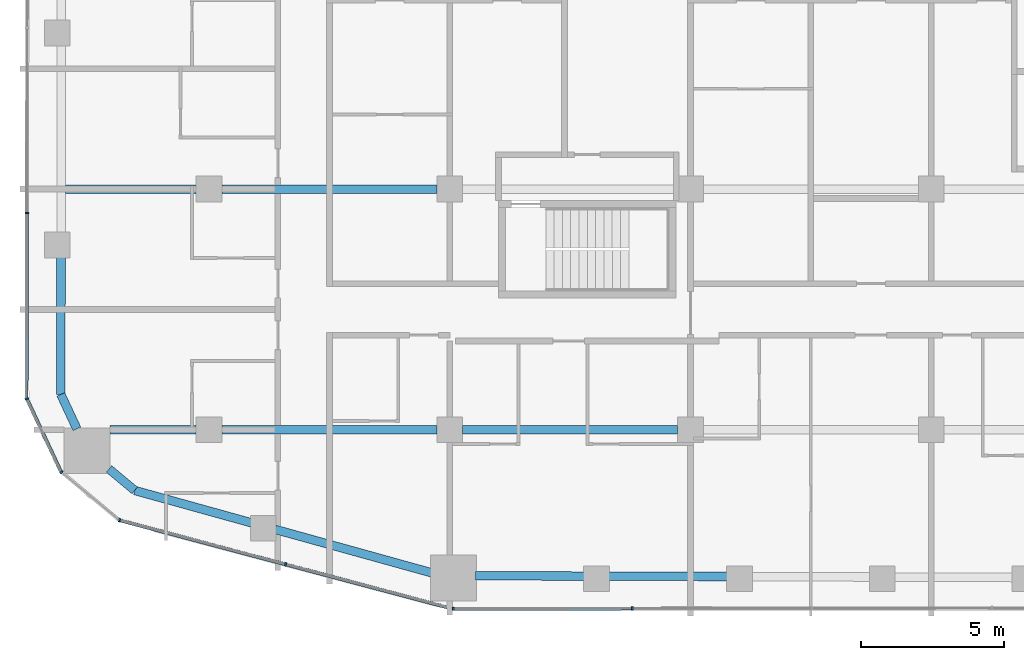
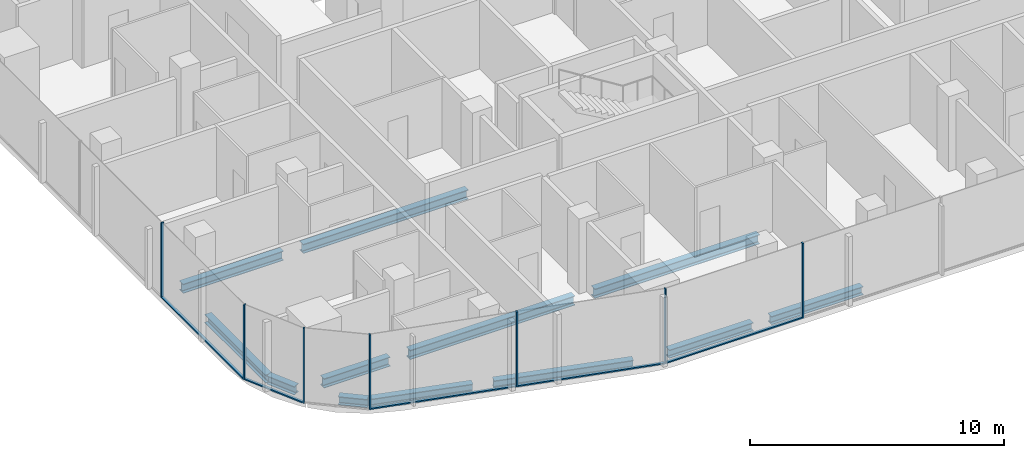
# One storey, part 2 of 23: 12 beams, 12 members, 5 elements without a shape of their own.
"""IFC4 building model written with IfcOpenShell, lengths in metres."""

from ifc_helpers import new_model, si_unit, direction, frame, origin, origin_2d, place, context, subcontext, project, spatial, rectangle, i_section, extrude, material, layer, layer_set, material_profile, profile_set, type_object, element, aggregate, save


model = new_model("IFC4")

# Units and contexts
model_context = context("Model", 3, precision=1e-05, world=origin(), true_north=direction((0.0, 1.0)))
body_context = subcontext(model_context, "Body", "Model", "MODEL_VIEW")
ifc_project = project(units=[si_unit("LENGTHUNIT", "METRE"), si_unit("AREAUNIT", "SQUARE_METRE"), si_unit("VOLUMEUNIT", "CUBIC_METRE"), si_unit("PLANEANGLEUNIT", "RADIAN"), si_unit("MASSUNIT", "GRAM", prefix="KILO")], contexts=[model_context])

# Site, building, storey
site_placement = place(None, origin())
site = spatial("IfcSite", under=ifc_project, at=site_placement, CompositionType="ELEMENT")
building_placement = place(site_placement, origin())
building = spatial("IfcBuilding", under=site, at=building_placement, Name="Marenta Gate Hotel Tower", CompositionType="ELEMENT")
storey_placement = place(building_placement, frame((0.0, 0.0, 155.300048828125)))
storey = spatial("IfcBuildingStorey", under=building, at=storey_placement, Name="L36", CompositionType="ELEMENT", Elevation=155.300048828125)

# Beams
ifc_material_1 = material(Name="Steel S355", Category="steel")
ifc_material_profile_1 = material_profile(ifc_material_1, i_section(OverallWidth=0.300048828125, OverallDepth=0.39990234375, WebThickness=0.013427734375, FlangeThickness=0.02392578125, FilletRadius=0.027099609375, at=origin_2d()), Name="HEB 400")
ifc_profile_set_1 = profile_set([ifc_material_profile_1], Name="Steel S355")
beam_type_1 = type_object("IfcBeamType", Name="Edge beam HEB 400", PredefinedType="SPANDREL", material=ifc_profile_set_1)
beam_1_placement = place(storey_placement, frame((-13.227783203125, -21.794677734375, -0.4599609375), z_axis=(-0.963615860477, 0.267290990189, 0.0), x_axis=(-0.267290990189, -0.963615860477, 0.0)))
element("IfcBeam", 1, at=beam_1_placement, inside=storey, type_object=beam_type_1, Name="L36-EB-1", PredefinedType="SPANDREL", context=body_context, shape_type="SweptSolid", body=[
    extrude(i_section(OverallWidth=0.300048828125, OverallDepth=0.39990234375, WebThickness=0.013427734375, FlangeThickness=0.02392578125, FilletRadius=0.027099609375, at=origin_2d()), origin(), (0.0, 0.0, 1.0), 5.674072265625),
])
beam_2_placement = place(storey_placement, frame((-19.518310546875, -20.0498046875, -0.4599609375), z_axis=(-0.963630213062, 0.267239242016, 0.0), x_axis=(-0.267239242016, -0.963630213062, 0.0)))
element("IfcBeam", 2, at=beam_2_placement, inside=storey, type_object=beam_type_1, Name="L36-EB-2", PredefinedType="SPANDREL", context=body_context, shape_type="SweptSolid", body=[
    extrude(i_section(OverallWidth=0.300048828125, OverallDepth=0.39990234375, WebThickness=0.013427734375, FlangeThickness=0.02392578125, FilletRadius=0.027099609375, at=origin_2d()), origin(), (0.0, 0.0, 1.0), 4.232666015625),
])
beam_3_placement = place(storey_placement, frame((-23.596923828125, -18.918701171875, -0.4599609375), z_axis=(-0.767073132856, 0.641559668972, 0.0), x_axis=(-0.641559668972, -0.767073132856, 0.0)))
element("IfcBeam", 3, at=beam_3_placement, inside=storey, type_object=beam_type_1, Name="L36-EB-3", PredefinedType="SPANDREL", context=body_context, shape_type="SweptSolid", body=[
    extrude(i_section(OverallWidth=0.300048828125, OverallDepth=0.39990234375, WebThickness=0.013427734375, FlangeThickness=0.02392578125, FilletRadius=0.027099609375, at=origin_2d()), origin(), (0.0, 0.0, 1.0), 1.1689453125),
])
beam_4_placement = place(storey_placement, frame((-25.613525390625, -16.769287109375, -0.4599609375), z_axis=(-0.423207780269, 0.906032656541, 0.0), x_axis=(-0.906032656541, -0.423207780269, 0.0)))
element("IfcBeam", 4, at=beam_4_placement, inside=storey, type_object=beam_type_1, Name="L36-EB-4", PredefinedType="SPANDREL", context=body_context, shape_type="SweptSolid", body=[
    extrude(i_section(OverallWidth=0.300048828125, OverallDepth=0.39990234375, WebThickness=0.013427734375, FlangeThickness=0.02392578125, FilletRadius=0.027099609375, at=origin_2d()), origin(), (0.0, 0.0, 1.0), 1.326904296875),
])
beam_5_placement = place(storey_placement, frame((-26.175048828125, -15.567138671875, -0.4599609375), z_axis=(0.001371810517, 0.999999059068, 0.0), x_axis=(-0.999999059068, 0.001371810517, 0.0)))
element("IfcBeam", 5, at=beam_5_placement, inside=storey, type_object=beam_type_1, Name="L36-EB-5", PredefinedType="SPANDREL", context=body_context, shape_type="SweptSolid", body=[
    extrude(i_section(OverallWidth=0.300048828125, OverallDepth=0.39990234375, WebThickness=0.013427734375, FlangeThickness=0.02392578125, FilletRadius=0.027099609375, at=origin_2d()), origin(), (0.0, 0.0, 1.0), 4.80517578125),
])
beam_6_placement = place(storey_placement, frame((-2.9033203125, -21.92333984375, -0.4599609375), z_axis=(-0.999994807487, 0.003222576575, 0.0), x_axis=(-0.003222576575, -0.999994807487, 0.0)))
element("IfcBeam", 6, at=beam_6_placement, inside=storey, type_object=beam_type_1, Name="L36-EB-35", PredefinedType="SPANDREL", context=body_context, shape_type="SweptSolid", body=[
    extrude(i_section(OverallWidth=0.300048828125, OverallDepth=0.39990234375, WebThickness=0.013427734375, FlangeThickness=0.02392578125, FilletRadius=0.027099609375, at=origin_2d()), origin(), (0.0, 0.0, 1.0), 4.166748046875),
])
beam_7_placement = place(storey_placement, frame((-7.89013671875, -21.907470703125, -0.4599609375), z_axis=(-0.999994677283, 0.003262729738, 0.0), x_axis=(-0.003262729738, -0.999994677283, 0.0)))
element("IfcBeam", 7, at=beam_7_placement, inside=storey, type_object=beam_type_1, Name="L36-EB-36", PredefinedType="SPANDREL", context=body_context, shape_type="SweptSolid", body=[
    extrude(i_section(OverallWidth=0.300048828125, OverallDepth=0.39990234375, WebThickness=0.013427734375, FlangeThickness=0.02392578125, FilletRadius=0.027099609375, at=origin_2d()), origin(), (0.0, 0.0, 1.0), 3.816162109375),
])
ifc_material_2 = material(Name="Steel S355", Category="steel")
ifc_material_profile_2 = material_profile(ifc_material_2, i_section(OverallWidth=0.300048828125, OverallDepth=0.449951171875, WebThickness=0.013916015625, FlangeThickness=0.02587890625, FilletRadius=0.027099609375, at=origin_2d()), Name="HEB 450")
ifc_profile_set_2 = profile_set([ifc_material_profile_2], Name="Steel S355")
beam_type_2 = type_object("IfcBeamType", Name="Girder HEB 450", PredefinedType="BEAM", material=ifc_profile_set_2)
beam_8_placement = place(storey_placement, frame((-24.462890625, -16.800048828125, -0.485107421875), z_axis=(1.0, 0.0, 0.0), x_axis=(0.0, 1.0, 0.0)))
element("IfcBeam", 8, at=beam_8_placement, inside=storey, type_object=beam_type_2, Name="L36-GD-1", PredefinedType="BEAM", context=body_context, shape_type="SweptSolid", body=[
    extrude(i_section(OverallWidth=0.300048828125, OverallDepth=0.449951171875, WebThickness=0.013916015625, FlangeThickness=0.02587890625, FilletRadius=0.027099609375, at=origin_2d()), origin(), (0.0, 0.0, 1.0), 3.012939453125),
])
for number, where, z_axis, x_axis, name in (
    (9, (-20.550048828125, -16.800048828125, -0.485107421875), (1.0, 0.0, 0.0), (0.0, 1.0, 0.0), "L36-GD-2"),
    (10, (-12.14990234375, -16.800048828125, -0.485107421875), (1.0, 0.0, 0.0), (0.0, 1.0, 0.0), "L36-GD-3"),
):
    element("IfcBeam", number, at=place(storey_placement, frame(where, z_axis=z_axis, x_axis=x_axis)), inside=storey, type_object=beam_type_2, Name=name, PredefinedType="BEAM", context=body_context, shape_type="SweptSolid", body=[
        extrude(i_section(OverallWidth=0.300048828125, OverallDepth=0.449951171875, WebThickness=0.013916015625, FlangeThickness=0.02587890625, FilletRadius=0.027099609375, at=origin_2d()), origin(), (0.0, 0.0, 1.0), 7.5),
    ])
beam_9_placement = place(storey_placement, frame((-26.01513671875, -8.39990234375, -0.485107421875), z_axis=(1.0, 0.0, 0.0), x_axis=(0.0, 1.0, 0.0)))
element("IfcBeam", 11, at=beam_9_placement, inside=storey, type_object=beam_type_2, Name="L36-GD-8", PredefinedType="BEAM", context=body_context, shape_type="SweptSolid", body=[
    extrude(i_section(OverallWidth=0.300048828125, OverallDepth=0.449951171875, WebThickness=0.013916015625, FlangeThickness=0.02587890625, FilletRadius=0.027099609375, at=origin_2d()), origin(), (0.0, 0.0, 1.0), 4.565185546875),
])
beam_10_placement = place(storey_placement, frame((-20.550048828125, -8.39990234375, -0.485107421875), z_axis=(1.0, 0.0, 0.0), x_axis=(0.0, 1.0, 0.0)))
element("IfcBeam", 12, at=beam_10_placement, inside=storey, type_object=beam_type_2, Name="L36-GD-9", PredefinedType="BEAM", context=body_context, shape_type="SweptSolid", body=[
    extrude(i_section(OverallWidth=0.300048828125, OverallDepth=0.449951171875, WebThickness=0.013916015625, FlangeThickness=0.02587890625, FilletRadius=0.027099609375, at=origin_2d()), origin(), (0.0, 0.0, 1.0), 7.5),
])

# Curtain wall, member
ifc_material_3 = material(Name="Tinted insulated glass in bronze anodised frame", Category="glass")
ifc_layer = layer(ifc_material_3, 0.1201171875)
ifc_layer_set = layer_set([ifc_layer], Name="Tinted insulated glass in bronze anodised frame")
curtain_wall_type = type_object("IfcCurtainWallType", Name="Tower unitised curtain wall CW1", PredefinedType="NOTDEFINED", material=ifc_layer_set)
curtain_wall_1_placement = place(storey_placement, origin())
curtain_wall_1 = element("IfcCurtainWall", 13, at=curtain_wall_1_placement, inside=storey, type_object=curtain_wall_type, Name="CW1 run G03", PredefinedType="NOTDEFINED")
ifc_material_4 = material(Name="Bronze anodised aluminium", Category="aluminium")
ifc_material_profile_3 = material_profile(ifc_material_4, rectangle(XDim=0.1201171875, YDim=0.06005859375, at=origin_2d()), Name="Mullion CW1 60x120 bronze anodised aluminium")
ifc_profile_set_3 = profile_set([ifc_material_profile_3], Name="Bronze anodised aluminium")
member_type_1 = type_object("IfcMemberType", Name="Mullion CW1 60x120 bronze anodised aluminium", PredefinedType="MULLION", material=ifc_profile_set_3)
member_1_placement = place(storey_placement, frame((-27.36279296875, -9.23388671875, 0.0), z_axis=(0.0, 0.0, 1.0), x_axis=(0.99999877375, -0.001566045546, 0.0)))
member_1 = element("IfcMember", 14, at=member_1_placement, type_object=member_type_1, Name="CW1 mullion 6", PredefinedType="MULLION", context=body_context, shape_type="SweptSolid", body=[
    extrude(rectangle(XDim=0.1201171875, YDim=0.06005859375, at=origin_2d()), origin(), (0.0, 0.0, 1.0), 3.599853515625),
])

curtain_wall_2_placement = place(storey_placement, origin())
curtain_wall_2 = element("IfcCurtainWall", 15, at=curtain_wall_2_placement, inside=storey, type_object=curtain_wall_type, Name="CW1 run G04", PredefinedType="NOTDEFINED")
member_2_placement = place(storey_placement, frame((-27.3603515625, -15.720947265625, 0.0), z_axis=(0.0, 0.0, 1.0), x_axis=(0.905971778319, 0.423338088163, 0.0)))
member_2 = element("IfcMember", 16, at=member_2_placement, type_object=member_type_1, Name="CW1 mullion 1", PredefinedType="MULLION", context=body_context, shape_type="SweptSolid", body=[
    extrude(rectangle(XDim=0.1201171875, YDim=0.06005859375, at=origin_2d()), origin(), (0.0, 0.0, 1.0), 3.599853515625),
])

curtain_wall_3_placement = place(storey_placement, origin())
curtain_wall_3 = element("IfcCurtainWall", 17, at=curtain_wall_3_placement, inside=storey, type_object=curtain_wall_type, Name="CW1 run G05", PredefinedType="NOTDEFINED")
member_3_placement = place(storey_placement, frame((-26.152099609375, -18.27685546875, 0.0), z_axis=(0.0, 0.0, 1.0), x_axis=(0.641512168126, 0.767112858807, 0.0)))
member_3 = element("IfcMember", 18, at=member_3_placement, type_object=member_type_1, Name="CW1 mullion 1", PredefinedType="MULLION", context=body_context, shape_type="SweptSolid", body=[
    extrude(rectangle(XDim=0.1201171875, YDim=0.06005859375, at=origin_2d()), origin(), (0.0, 0.0, 1.0), 3.599853515625),
])
aggregate(curtain_wall_3, [member_3])

# Curtain wall, members
curtain_wall_4_placement = place(storey_placement, origin())
curtain_wall_4 = element("IfcCurtainWall", 19, at=curtain_wall_4_placement, inside=storey, type_object=curtain_wall_type, Name="CW1 run G06", PredefinedType="NOTDEFINED")
member_4_placement = place(storey_placement, frame((-24.12451171875, -19.955810546875, 0.0), z_axis=(0.0, 0.0, 1.0), x_axis=(0.257143631229, 0.966373195468, 0.0)))
member_4 = element("IfcMember", 20, at=member_4_placement, type_object=member_type_1, Name="CW1 mullion 1", PredefinedType="MULLION", context=body_context, shape_type="SweptSolid", body=[
    extrude(rectangle(XDim=0.1201171875, YDim=0.06005859375, at=origin_2d()), origin(), (0.0, 0.0, 1.0), 3.599853515625),
])
member_5_placement = place(storey_placement, frame((-18.32958984375, -21.497802734375, 0.0), z_axis=(0.0, 0.0, 1.0), x_axis=(0.257143631229, 0.966373195468, 0.0)))
member_5 = element("IfcMember", 21, at=member_5_placement, type_object=member_type_1, Name="CW1 mullion 2", PredefinedType="MULLION", context=body_context, shape_type="SweptSolid", body=[
    extrude(rectangle(XDim=0.1201171875, YDim=0.06005859375, at=origin_2d()), origin(), (0.0, 0.0, 1.0), 3.599853515625),
])

curtain_wall_5_placement = place(storey_placement, origin())
curtain_wall_5 = element("IfcCurtainWall", 22, at=curtain_wall_5_placement, inside=storey, type_object=curtain_wall_type, Name="CW1 run G07", PredefinedType="NOTDEFINED")
member_6_placement = place(storey_placement, frame((-12.475830078125, -23.04736328125, 0.0), z_axis=(0.0, 0.0, 1.0), x_axis=(-0.001362347707, 0.999999072004, 0.0)))
member_6 = element("IfcMember", 23, at=member_6_placement, type_object=member_type_1, Name="CW1 mullion 1", PredefinedType="MULLION", context=body_context, shape_type="SweptSolid", body=[
    extrude(rectangle(XDim=0.1201171875, YDim=0.06005859375, at=origin_2d()), origin(), (0.0, 0.0, 1.0), 3.599853515625),
])
member_7_placement = place(storey_placement, frame((-6.22998046875, -23.0390625, 0.0), z_axis=(0.0, 0.0, 1.0), x_axis=(-0.001362347707, 0.999999072004, 0.0)))
member_7 = element("IfcMember", 24, at=member_7_placement, type_object=member_type_1, Name="CW1 mullion 2", PredefinedType="MULLION", context=body_context, shape_type="SweptSolid", body=[
    extrude(rectangle(XDim=0.1201171875, YDim=0.06005859375, at=origin_2d()), origin(), (0.0, 0.0, 1.0), 3.599853515625),
])

# Member
ifc_material_5 = material(Name="Bronze anodised aluminium", Category="aluminium")
ifc_material_profile_4 = material_profile(ifc_material_5, rectangle(XDim=0.1201171875, YDim=0.06005859375, at=origin_2d()), Name="Transom CW1 60x120 bronze anodised aluminium")
ifc_profile_set_4 = profile_set([ifc_material_profile_4], Name="Bronze anodised aluminium")
member_type_2 = type_object("IfcMemberType", Name="Transom CW1 60x120 bronze anodised aluminium", PredefinedType="USERDEFINED", material=ifc_profile_set_4)
member_8_placement = place(storey_placement, frame((-27.363037109375, -9.263916015625, 0.030029296875), z_axis=(-0.001556743377, -0.999998788274, 0.0), x_axis=(0.999998788274, -0.001556743377, 0.0)))
member_8 = element("IfcMember", 25, at=member_8_placement, type_object=member_type_2, Name="CW1 transom 6.1", ObjectType="TRANSOM", PredefinedType="USERDEFINED", context=body_context, shape_type="SweptSolid", body=[
    extrude(rectangle(XDim=0.1201171875, YDim=0.06005859375, at=origin_2d()), origin(), (0.0, 0.0, 1.0), 6.429931640625),
])

aggregate(curtain_wall_1, [member_1, member_8])

member_9_placement = place(storey_placement, frame((-27.34765625, -15.748046875, 0.030029296875), z_axis=(0.423329323939, -0.905975873572, 0.0), x_axis=(0.905975873572, 0.423329323939, 0.0)))
member_9 = element("IfcMember", 26, at=member_9_placement, type_object=member_type_2, Name="CW1 transom 1.1", ObjectType="TRANSOM", PredefinedType="USERDEFINED", context=body_context, shape_type="SweptSolid", body=[
    extrude(rectangle(XDim=0.1201171875, YDim=0.06005859375, at=origin_2d()), origin(), (0.0, 0.0, 1.0), 2.77001953125),
])

aggregate(curtain_wall_2, [member_2, member_9])

member_10_placement = place(storey_placement, frame((-24.095458984375, -19.963623046875, 0.030029296875), z_axis=(0.966369276777, -0.257158357634, 0.0), x_axis=(0.257158357634, 0.966369276777, 0.0)))
member_10 = element("IfcMember", 27, at=member_10_placement, type_object=member_type_2, Name="CW1 transom 1.1", ObjectType="TRANSOM", PredefinedType="USERDEFINED", context=body_context, shape_type="SweptSolid", body=[
    extrude(rectangle(XDim=0.1201171875, YDim=0.06005859375, at=origin_2d()), origin(), (0.0, 0.0, 1.0), 5.9365234375),
])

member_11_placement = place(storey_placement, frame((-18.300537109375, -21.505615234375, 0.030029296875), z_axis=(0.966369960125, -0.257155789684, 0.0), x_axis=(0.257155789684, 0.966369960125, 0.0)))
member_11 = element("IfcMember", 28, at=member_11_placement, type_object=member_type_2, Name="CW1 transom 2.1", ObjectType="TRANSOM", PredefinedType="USERDEFINED", context=body_context, shape_type="SweptSolid", body=[
    extrude(rectangle(XDim=0.1201171875, YDim=0.06005859375, at=origin_2d()), origin(), (0.0, 0.0, 1.0), 5.996337890625),
])

aggregate(curtain_wall_4, [member_4, member_5, member_10, member_11])

member_12_placement = place(storey_placement, frame((-12.44580078125, -23.04736328125, 0.030029296875), z_axis=(0.999999099639, 0.001341909831, 0.0), x_axis=(-0.001341909831, 0.999999099639, 0.0)))
member_12 = element("IfcMember", 29, at=member_12_placement, type_object=member_type_2, Name="CW1 transom 1.1", ObjectType="TRANSOM", PredefinedType="USERDEFINED", context=body_context, shape_type="SweptSolid", body=[
    extrude(rectangle(XDim=0.1201171875, YDim=0.06005859375, at=origin_2d()), origin(), (0.0, 0.0, 1.0), 6.185791015625),
])

aggregate(curtain_wall_5, [member_6, member_7, member_12])

save(model, "model.ifc")
